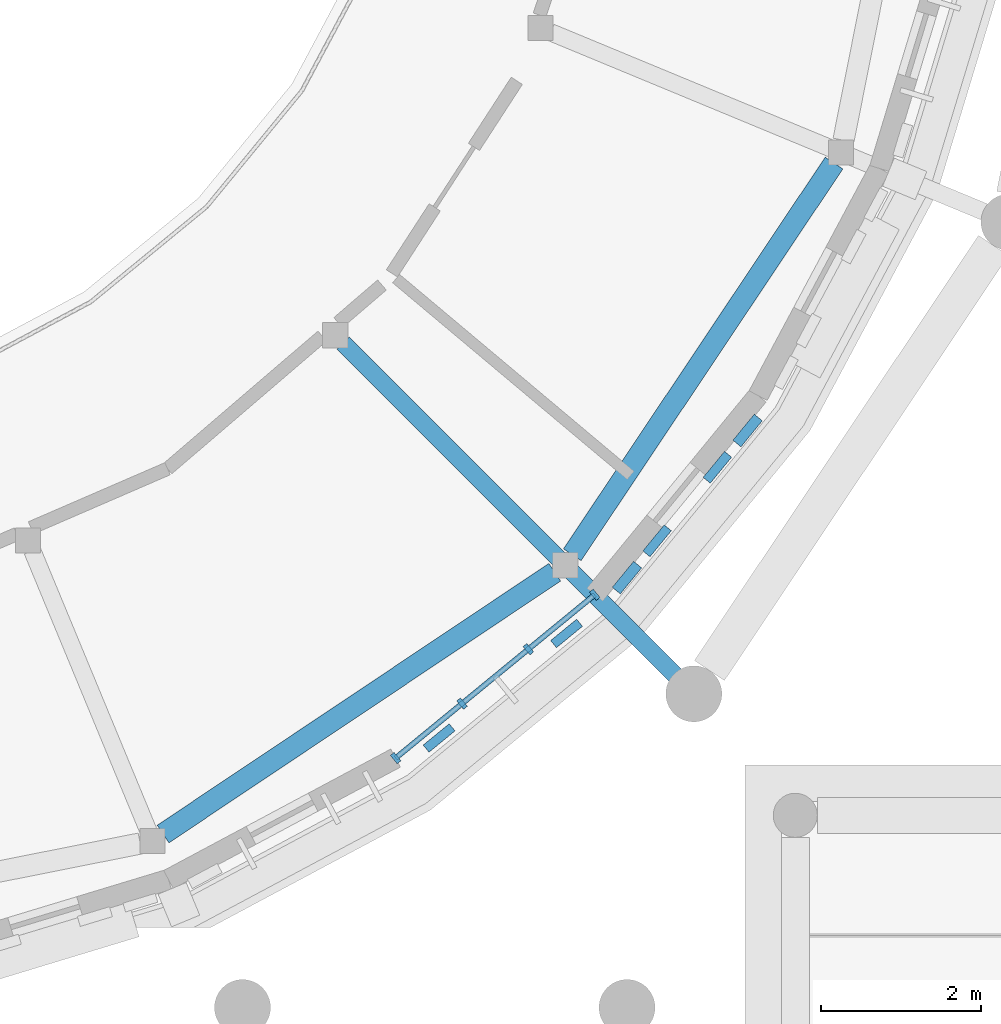
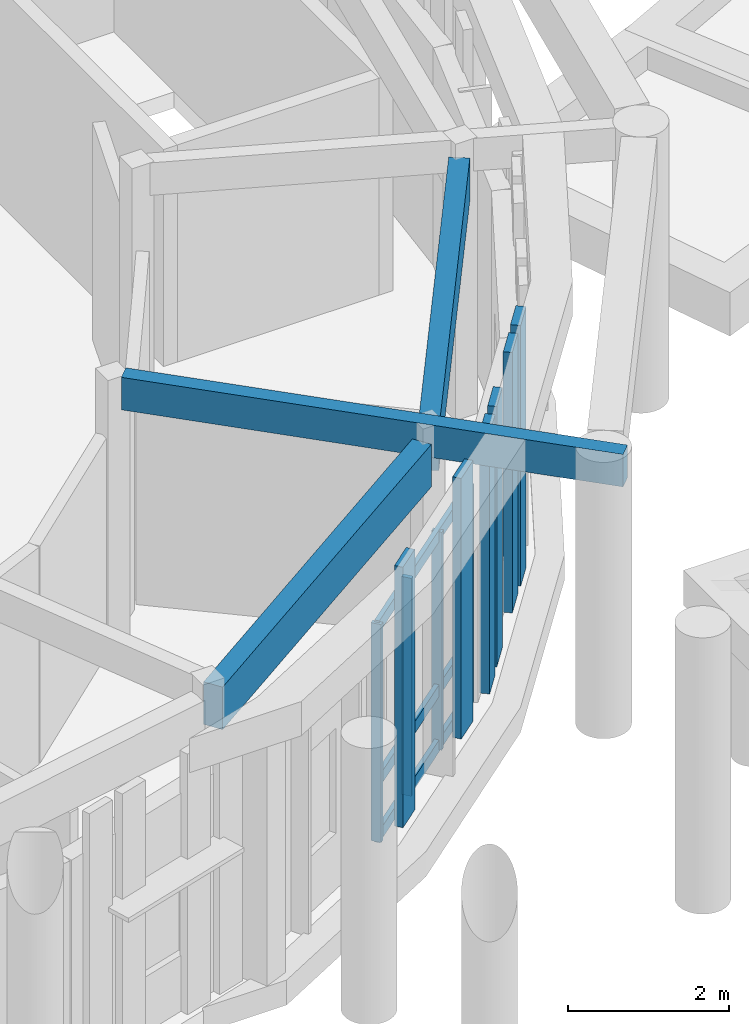
# One storey, part 12 of 80: 14 members, 2 beams, 1 element without a shape of its own.
"""IFC4 building model written with IfcOpenShell, lengths in metres."""

from ifc_helpers import new_model, si_unit, direction, frame, origin, origin_2d, place, context, subcontext, project, spatial, rectangle, extrude, material, layer, layer_set, material_profile, profile_set, type_object, element, aggregate, save


model = new_model("IFC4")

# Units and contexts
model_context = context("Model", 3, precision=1e-05, world=origin(), true_north=direction((0.0, 1.0)))
body_context = subcontext(model_context, "Body", "Model", "MODEL_VIEW")
ifc_project = project(units=[si_unit("LENGTHUNIT", "METRE"), si_unit("AREAUNIT", "SQUARE_METRE"), si_unit("VOLUMEUNIT", "CUBIC_METRE"), si_unit("PLANEANGLEUNIT", "RADIAN"), si_unit("MASSUNIT", "GRAM", prefix="KILO")], contexts=[model_context])

# Site, building, storey
site_placement = place(None, origin())
site = spatial("IfcSite", under=ifc_project, at=site_placement, CompositionType="ELEMENT")
building_placement = place(site_placement, origin())
building = spatial("IfcBuilding", under=site, at=building_placement, Name="Aldenvaro Health Centre", CompositionType="ELEMENT")
storey_placement = place(building_placement, frame((0.0, 0.0, 4.550048828125)))
storey = spatial("IfcBuildingStorey", under=building, at=storey_placement, Name="L01", CompositionType="ELEMENT", Elevation=4.550048828125)

# Beams
ifc_material_1 = material(Name="Glulam GL28h", Category="wood")
ifc_material_profile_1 = material_profile(ifc_material_1, rectangle(XDim=0.264892578125, YDim=0.64599609375, at=origin_2d()), Name="GL 265x646", Category="wood")
ifc_profile_set_1 = profile_set([ifc_material_profile_1], Name="Glulam GL28h")
beam_type = type_object("IfcBeamType", Name="BM-GL-646", PredefinedType="SPANDREL", material=ifc_profile_set_1)
for number, where, z_axis, x_axis, name in (
    (1, (93.2080078125, 5.416015625, 3.636962890625), (0.831411121893, 0.555657760131, 0.0), (-0.555657760131, 0.831411121893, 0.0), "D1 L01 perimeter spandrel 14"),
    (2, (98.31591796875, 8.902099609375, 3.636962890625), (0.555657760131, 0.831411121893, 0.0), (-0.831411121893, 0.555657760131, 0.0), "D1 L01 perimeter spandrel 15"),
):
    element("IfcBeam", number, at=place(storey_placement, frame(where, z_axis=z_axis, x_axis=x_axis)), inside=storey, type_object=beam_type, Name=name, PredefinedType="SPANDREL", context=body_context, shape_type="SweptSolid", body=[
        extrude(rectangle(XDim=0.264892578125, YDim=0.64599609375, at=origin_2d()), origin(), (0.0, 0.0, 1.0), 5.88134765625),
    ])

# Curtain wall, members
ifc_material_2 = material(Name="Anodised Aluminium 6063-T6", Category="aluminium")
ifc_layer = layer(ifc_material_2, 0.179931640625, Name="Anodised Aluminium 6063-T6", Category="aluminium")
ifc_layer_set = layer_set([ifc_layer], Name="Anodised Aluminium 6063-T6")
curtain_wall_type = type_object("IfcCurtainWallType", Name="CW-ROT-01", PredefinedType="NOTDEFINED", material=ifc_layer_set)
curtain_wall_placement = place(storey_placement, origin())
curtain_wall = element("IfcCurtainWall", 3, at=curtain_wall_placement, inside=storey, type_object=curtain_wall_type, Name="D1 L01 curtain wall bay 05", PredefinedType="NOTDEFINED")
ifc_material_profile_2 = material_profile(ifc_material_2, rectangle(XDim=0.06005859375, YDim=0.135009765625, at=origin_2d()), Name="ALU 60x135", Category="aluminium")
ifc_profile_set_2 = profile_set([ifc_material_profile_2], Name="Anodised Aluminium 6063-T6")
member_type_1 = type_object("IfcMemberType", Name="CWM-150", PredefinedType="MULLION", material=ifc_profile_set_2)
member_1_placement = place(storey_placement, frame((98.596923828125, 8.403076171875, 0.0), z_axis=(0.0, 0.0, 1.0), x_axis=(-0.773194586776, -0.634168850528, 0.0)))
member_1 = element("IfcMember", 4, at=member_1_placement, type_object=member_type_1, Name="D1 L01 curtain wall bay 05 mullion 1", PredefinedType="MULLION", context=body_context, shape_type="SweptSolid", body=[
    extrude(rectangle(XDim=0.06005859375, YDim=0.135009765625, at=origin_2d()), origin(), (0.0, 0.0, 1.0), 3.31396484375),
])
member_2_placement = place(storey_placement, frame((97.76806640625, 7.722900390625, 0.0), z_axis=(0.0, 0.0, 1.0), x_axis=(-0.773194586776, -0.634168850528, 0.0)))
member_2 = element("IfcMember", 5, at=member_2_placement, type_object=member_type_1, Name="D1 L01 curtain wall bay 05 mullion 2", PredefinedType="MULLION", context=body_context, shape_type="SweptSolid", body=[
    extrude(rectangle(XDim=0.06005859375, YDim=0.135009765625, at=origin_2d()), origin(), (0.0, 0.0, 1.0), 3.31396484375),
])
member_3_placement = place(storey_placement, frame((96.93994140625, 7.0439453125, 0.0), z_axis=(0.0, 0.0, 1.0), x_axis=(-0.773194586776, -0.634168850528, 0.0)))
member_3 = element("IfcMember", 6, at=member_3_placement, type_object=member_type_1, Name="D1 L01 curtain wall bay 05 mullion 3", PredefinedType="MULLION", context=body_context, shape_type="SweptSolid", body=[
    extrude(rectangle(XDim=0.06005859375, YDim=0.135009765625, at=origin_2d()), origin(), (0.0, 0.0, 1.0), 3.31396484375),
])
member_4_placement = place(storey_placement, frame((96.111083984375, 6.364013671875, 0.0), z_axis=(0.0, 0.0, 1.0), x_axis=(-0.773194586776, -0.634168850528, 0.0)))
member_4 = element("IfcMember", 7, at=member_4_placement, type_object=member_type_1, Name="D1 L01 curtain wall bay 05 mullion 4", PredefinedType="MULLION", context=body_context, shape_type="SweptSolid", body=[
    extrude(rectangle(XDim=0.06005859375, YDim=0.135009765625, at=origin_2d()), origin(), (0.0, 0.0, 1.0), 3.31396484375),
])
ifc_material_profile_3 = material_profile(ifc_material_2, rectangle(XDim=0.06494140625, YDim=0.179931640625, at=origin_2d()), Name="ALU 65x180", Category="aluminium")
ifc_profile_set_3 = profile_set([ifc_material_profile_3], Name="Anodised Aluminium 6063-T6")
member_type_2 = type_object("IfcMemberType", Name="CWT-150", PredefinedType="USERDEFINED", material=ifc_profile_set_3)
member_5_placement = place(storey_placement, frame((98.596923828125, 8.403076171875, 0.06005859375), z_axis=(-0.773165020866, -0.634204896314, 0.0), x_axis=(0.634204896314, -0.773165020866, 0.0)))
member_5 = element("IfcMember", 8, at=member_5_placement, type_object=member_type_2, Name="D1 L01 curtain wall bay 05 transom 1", ObjectType="TRANSOM", PredefinedType="USERDEFINED", context=body_context, shape_type="SweptSolid", body=[
    extrude(rectangle(XDim=0.06494140625, YDim=0.179931640625, at=origin_2d()), origin(), (0.0, 0.0, 1.0), 3.215087890625),
])
member_6_placement = place(storey_placement, frame((98.596923828125, 8.403076171875, 0.89990234375), z_axis=(-0.773165020866, -0.634204896314, 0.0), x_axis=(0.634204896314, -0.773165020866, 0.0)))
member_6 = element("IfcMember", 9, at=member_6_placement, type_object=member_type_2, Name="D1 L01 curtain wall bay 05 transom 2", ObjectType="TRANSOM", PredefinedType="USERDEFINED", context=body_context, shape_type="SweptSolid", body=[
    extrude(rectangle(XDim=0.06494140625, YDim=0.179931640625, at=origin_2d()), origin(), (0.0, 0.0, 1.0), 3.215087890625),
])
member_7_placement = place(storey_placement, frame((98.596923828125, 8.403076171875, 3.25390625), z_axis=(-0.773165020866, -0.634204896314, 0.0), x_axis=(0.634204896314, -0.773165020866, 0.0)))
member_7 = element("IfcMember", 10, at=member_7_placement, type_object=member_type_2, Name="D1 L01 curtain wall bay 05 transom 3", ObjectType="TRANSOM", PredefinedType="USERDEFINED", context=body_context, shape_type="SweptSolid", body=[
    extrude(rectangle(XDim=0.06494140625, YDim=0.179931640625, at=origin_2d()), origin(), (0.0, 0.0, 1.0), 3.215087890625),
])
aggregate(curtain_wall, [member_1, member_2, member_3, member_4, member_5, member_6, member_7])

# Members
ifc_material_profile_4 = material_profile(ifc_material_1, rectangle(XDim=0.215087890625, YDim=0.493896484375, at=origin_2d()), Name="GL 215x494", Category="wood")
ifc_profile_set_4 = profile_set([ifc_material_profile_4], Name="Glulam GL28h")
member_type_3 = type_object("IfcMemberType", Name="MEM-RF-494", PredefinedType="RAFTER", material=ifc_profile_set_4)
member_8_placement = place(storey_placement, frame((100.031982421875, 6.968017578125, 3.952880859375), z_axis=(-0.707106781187, 0.707106781187, 0.0), x_axis=(-0.707106781187, -0.707106781187, 0.0)))
element("IfcMember", 11, at=member_8_placement, inside=storey, type_object=member_type_3, Name="Waiting Rotunda Cornice Outrigger Rafter 15", PredefinedType="RAFTER", context=body_context, shape_type="SweptSolid", body=[
    extrude(rectangle(XDim=0.215087890625, YDim=0.493896484375, at=origin_2d()), origin(), (0.0, 0.0, 1.0), 6.469970703125),
])
ifc_material_profile_5 = material_profile(ifc_material_1, rectangle(XDim=0.114990234375, YDim=0.419921875, at=origin_2d()), Name="GL 115x420", Category="wood")
ifc_profile_set_5 = profile_set([ifc_material_profile_5], Name="Glulam GL28h")
member_type_4 = type_object("IfcMemberType", Name="MEM-SLT-420A", PredefinedType="POST", material=ifc_profile_set_5)
for number, where, z_axis, x_axis, name in (
    (12, (100.1279296875, 9.993896484375, 0.0), (0.0, 0.0, 1.0), (0.773194586776, -0.634168850528, 0.0), "D1 L01 vertical timber slat 4.2"),
    (13, (99.375, 9.075927734375, 0.0), (0.0, 0.0, 1.0), (0.773194586776, -0.634168850528, 0.0), "D1 L01 vertical timber slat 4.4"),
    (14, (98.2451171875, 7.919921875, 0.0), (0.0, 0.0, 1.0), (0.634168850528, -0.773194586776, 0.0), "D1 L01 curtain mullion timber slat 5"),
    (15, (96.654052734375, 6.614990234375, 0.0), (0.0, 0.0, 1.0), (0.634168850528, -0.773194586776, 0.0), "D1 L01 curtain mullion timber slat 5"),
):
    element("IfcMember", number, at=place(storey_placement, frame(where, z_axis=z_axis, x_axis=x_axis)), inside=storey, type_object=member_type_4, Name=name, PredefinedType="POST", context=body_context, shape_type="SweptSolid", body=[
        extrude(rectangle(XDim=0.114990234375, YDim=0.419921875, at=origin_2d()), origin(), (0.0, 0.0, 1.0), 3.9599609375),
    ])
ifc_material_profile_6 = material_profile(ifc_material_1, rectangle(XDim=0.1298828125, YDim=0.419921875, at=origin_2d()), Name="GL 130x420", Category="wood")
ifc_profile_set_6 = profile_set([ifc_material_profile_6], Name="Glulam GL28h")
member_type_5 = type_object("IfcMemberType", Name="MEM-SLT-420B", PredefinedType="POST", material=ifc_profile_set_6)
for number, where, z_axis, x_axis, name in (
    (16, (100.5048828125, 10.452880859375, 0.0), (0.0, 0.0, 1.0), (0.773194586776, -0.634168850528, 0.0), "D1 L01 vertical timber slat 4.1"),
    (17, (98.9990234375, 8.616943359375, 0.0), (0.0, 0.0, 1.0), (0.773194586776, -0.634168850528, 0.0), "D1 L01 vertical timber slat 4.5"),
):
    element("IfcMember", number, at=place(storey_placement, frame(where, z_axis=z_axis, x_axis=x_axis)), inside=storey, type_object=member_type_5, Name=name, PredefinedType="POST", context=body_context, shape_type="SweptSolid", body=[
        extrude(rectangle(XDim=0.1298828125, YDim=0.419921875, at=origin_2d()), origin(), (0.0, 0.0, 1.0), 3.9599609375),
    ])

save(model, "model.ifc")
